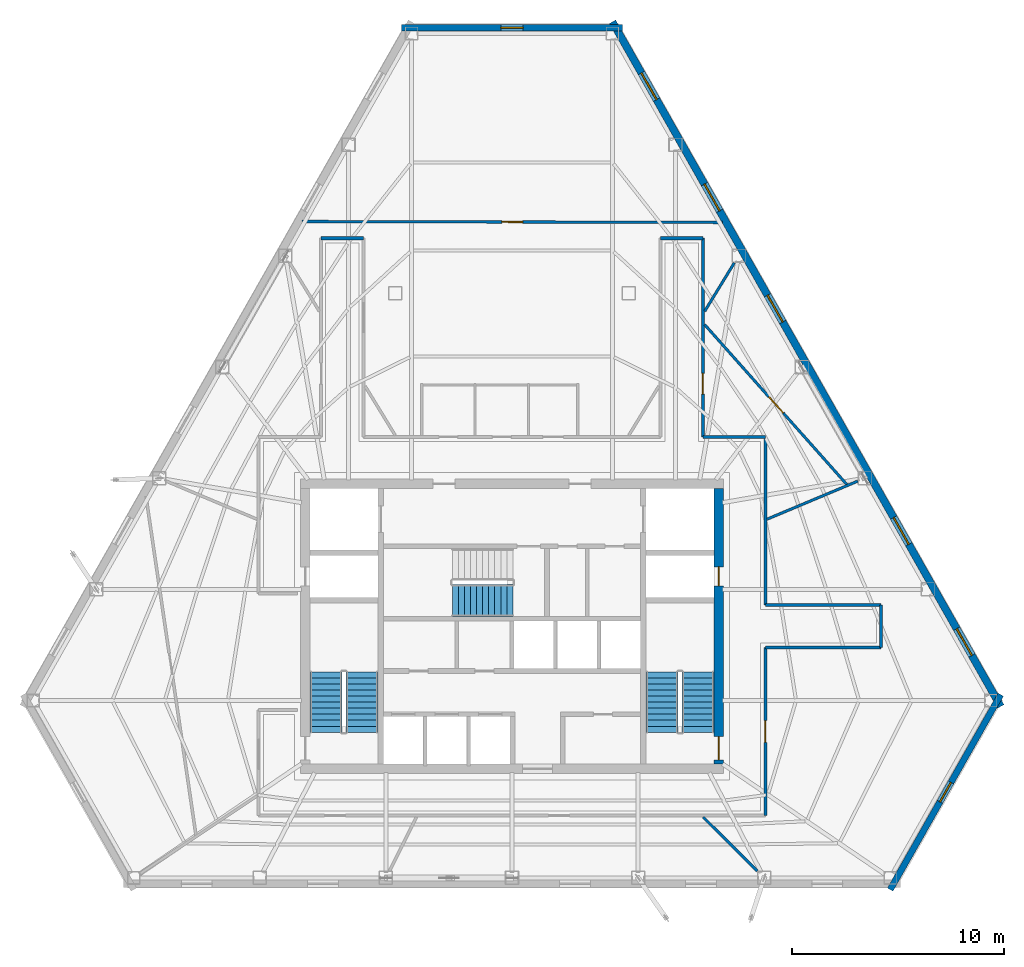
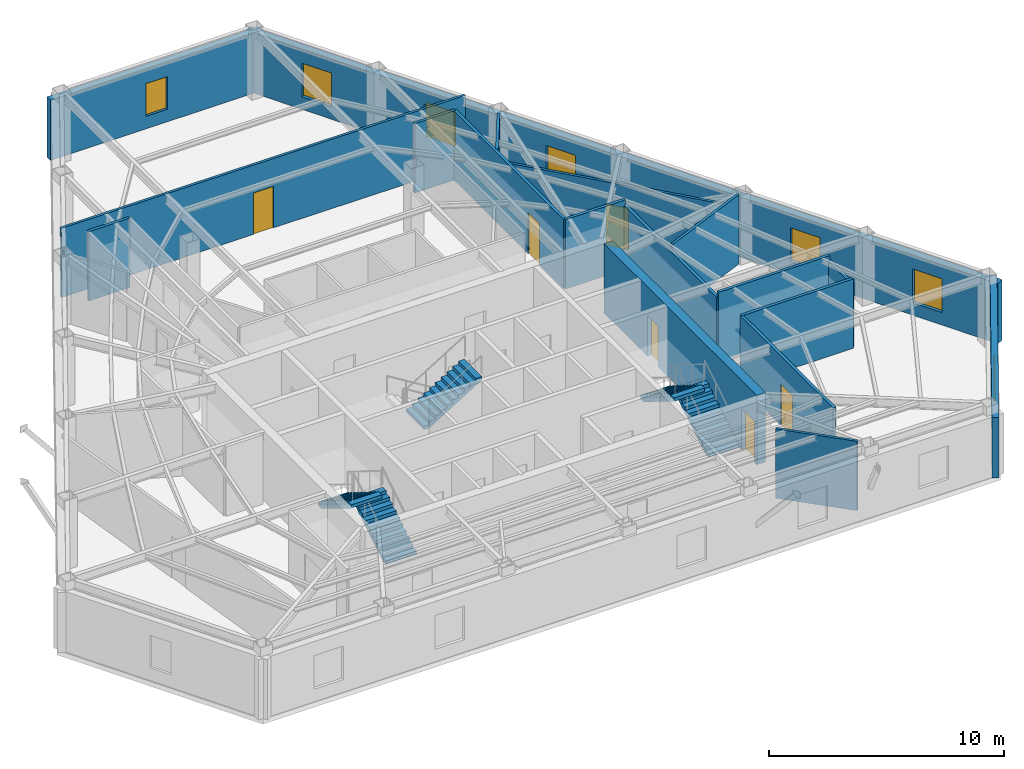
# One storey, part 9 of 11: 18 walls, 7 windows, 6 doors, 5 stair flights, 13 openings, 3 elements without a shape of their own.
"""IFC4 building model written with IfcOpenShell, lengths in metres."""

from ifc_helpers import new_model, si_unit, direction, frame, frame_2d, origin, place, context, subcontext, project, spatial, polyline, rectangle, outline, extrude, material, layer, layer_set, type_object, element, fill, aggregate, save


model = new_model("IFC4")

# Units and contexts
model_context = context("Model", 3, precision=1e-05, world=origin(), true_north=direction((0.0, 1.0)))
body_context = subcontext(model_context, "Body", "Model", "MODEL_VIEW")
ifc_project = project(units=[si_unit("LENGTHUNIT", "METRE"), si_unit("AREAUNIT", "SQUARE_METRE"), si_unit("VOLUMEUNIT", "CUBIC_METRE"), si_unit("PLANEANGLEUNIT", "RADIAN"), si_unit("MASSUNIT", "GRAM", prefix="KILO")], contexts=[model_context])

# Site, building, storey
site_placement = place(None, origin())
site = spatial("IfcSite", under=ifc_project, at=site_placement, CompositionType="ELEMENT")
building_placement = place(site_placement, origin())
building = spatial("IfcBuilding", under=site, at=building_placement, Name="Kavelnor Concourse Tower", CompositionType="ELEMENT")
storey_placement = place(building_placement, frame((0.0, 0.0, 165.0)))
storey = spatial("IfcBuildingStorey", under=building, at=storey_placement, Name="L41", CompositionType="ELEMENT", Elevation=165.0)

# Wall, openings, doors
ifc_material_1 = material(Name="Concrete C50/60", Category="concrete")
ifc_layer_1 = layer(ifc_material_1, 0.43994140625, Name="Concrete C50/60")
ifc_layer_set_1 = layer_set([ifc_layer_1], Name="Concrete C50/60")
wall_type_1 = type_object("IfcWallType", Name="WL-CORE-Z3-440", PredefinedType="SOLIDWALL", material=ifc_layer_set_1)
wall_1_placement = place(storey_placement, frame((47.739990234375, 9.60009765625, 0.0), z_axis=(0.0, 0.0, 1.0), x_axis=(0.0, 1.0, 0.0)))
wall_1 = element("IfcWall", 1, at=wall_1_placement, inside=storey, type_object=wall_type_1, Name="L41 Central Core East Shear Wall", PredefinedType="SOLIDWALL", context=body_context, shape_type="SweptSolid", body=[
    extrude(rectangle(XDim=13.0, YDim=0.43994140625, at=frame_2d((6.5, 0.0))), origin(), (0.0, 0.0, 1.0), 3.60009765625),
])
opening_1_placement = place(wall_1_placement, frame((0.199951171875, 0.0, 0.0)))
opening_1 = element("IfcOpeningElement", 2, at=opening_1_placement, cuts=wall_1, Name="Opening FD-110", PredefinedType="OPENING", context=body_context, shape_type="SweptSolid", body=[
    extrude(rectangle(XDim=1.10009765625, YDim=2.14990234375, at=frame_2d((0.550048828125, 1.074951171875))), frame((0.0, 0.22998046875, 0.0), z_axis=(0.0, -1.0, 0.0), x_axis=(1.0, 0.0, 0.0)), (0.0, 0.0, 1.0), 0.4599609375),
])
opening_2_placement = place(wall_1_placement, frame((8.39990234375, 0.0, 0.0)))
opening_2 = element("IfcOpeningElement", 3, at=opening_2_placement, cuts=wall_1, Name="Opening FD-090", PredefinedType="OPENING", context=body_context, shape_type="SweptSolid", body=[
    extrude(rectangle(XDim=0.89990234375, YDim=2.10009765625, at=frame_2d((0.449951171875, 1.050048828125))), frame((0.0, 0.22998046875, 0.0), z_axis=(0.0, -1.0, 0.0), x_axis=(1.0, 0.0, 0.0)), (0.0, 0.0, 1.0), 0.4599609375),
])
ifc_material_2 = material(Name="Steel Grade 350", Category="steel")
door_type_1 = type_object("IfcDoorType", Name="DR-RISER-FIRE-900", OperationType="NOTDEFINED", PredefinedType="DOOR", material=ifc_material_2)
door_1_placement = place(opening_2_placement, origin())
door_1 = element("IfcDoor", 4, at=door_1_placement, inside=storey, type_object=door_type_1, Name="L41 East Riser Access Door", OperationType="SINGLE_SWING_LEFT", OverallHeight=2.10009765625, OverallWidth=0.89990234375, PredefinedType="DOOR", context=body_context, shape_type="SweptSolid", body=[
    extrude(rectangle(XDim=0.89990234375, YDim=2.10009765625, at=frame_2d((0.449951171875, 1.050048828125))), frame((0.0, 0.02490234375, 0.0), z_axis=(0.0, -1.0, 0.0), x_axis=(1.0, 0.0, 0.0)), (0.0, 0.0, 1.0), 0.050048828125),
])
fill(opening_2, door_1)
door_type_2 = type_object("IfcDoorType", Name="DR-STAIR-FIRE-1100", OperationType="NOTDEFINED", PredefinedType="DOOR", material=ifc_material_2)
door_2_placement = place(opening_1_placement, origin())
door_2 = element("IfcDoor", 5, at=door_2_placement, inside=storey, type_object=door_type_2, Name="L41 Stair ST2 Fire Door", OperationType="SINGLE_SWING_RIGHT", OverallHeight=2.14990234375, OverallWidth=1.10009765625, PredefinedType="DOOR", context=body_context, shape_type="SweptSolid", body=[
    extrude(rectangle(XDim=1.10009765625, YDim=2.14990234375, at=frame_2d((0.550048828125, 1.074951171875))), frame((0.0, 0.02490234375, 0.0), z_axis=(0.0, -1.0, 0.0), x_axis=(1.0, 0.0, 0.0)), (0.0, 0.0, 1.0), 0.050048828125),
])
fill(opening_1, door_2)

# Wall, opening, window
ifc_material_3 = material(Name="Buff ironspot clay face brick masonry", Category="masonry")
ifc_layer_2 = layer(ifc_material_3, 0.300048828125, Name="Buff ironspot clay face brick masonry")
ifc_layer_set_2 = layer_set([ifc_layer_2], Name="Buff ironspot clay face brick masonry")
wall_type_2 = type_object("IfcWallType", Name="WL-EXT-BUFF-BRICK-FOLD-300", PredefinedType="STANDARD", material=ifc_layer_set_2)
wall_2_placement = place(storey_placement, frame((32.785400390625, 44.304931640625, 0.0), z_axis=(0.0, 0.0, 1.0), x_axis=(1.0, 0.0, 0.0)))
wall_2 = element("IfcWall", 6, at=wall_2_placement, inside=storey, type_object=wall_type_2, Name="L41 Exterior Brick Facade Wall E0", PredefinedType="STANDARD", context=body_context, shape_type="SweptSolid", body=[
    extrude(rectangle(XDim=10.42919921875, YDim=0.300048828125, at=frame_2d((5.214599609375, 0.0))), origin(), (0.0, 0.0, 1.0), 3.132080078125),
])
opening_3_placement = place(wall_2_placement, frame((4.689697265625, 0.0, 0.64990234375)))
opening_3 = element("IfcOpeningElement", 7, at=opening_3_placement, cuts=wall_2, Name="Opening W-06", PredefinedType="OPENING", context=body_context, shape_type="SweptSolid", body=[
    extrude(rectangle(XDim=1.050048828125, YDim=1.699951171875, at=frame_2d((0.52490234375, 0.85009765625))), frame((0.0, 0.16015625, 0.0), z_axis=(0.0, -1.0, 0.0), x_axis=(1.0, 0.0, 0.0)), (0.0, 0.0, 1.0), 0.320068359375),
])
ifc_material_4 = material(Name="Double low-E argon insulated glazing", Category="glass")
window_type_1 = type_object("IfcWindowType", Name="WIN-FOLD-1050", PartitioningType="SINGLE_PANEL", PredefinedType="WINDOW", material=ifc_material_4)
window_1_placement = place(opening_3_placement, origin())
window_1 = element("IfcWindow", 8, at=window_1_placement, inside=storey, type_object=window_type_1, Name="L41 Chamfer-Fold Facet Window C0", OverallHeight=1.699951171875, OverallWidth=1.050048828125, PartitioningType="SINGLE_PANEL", PredefinedType="WINDOW", context=body_context, shape_type="SweptSolid", body=[
    extrude(rectangle(XDim=1.050048828125, YDim=1.699951171875, at=frame_2d((0.52490234375, 0.85009765625))), frame((0.0, 0.030029296875, 0.0), z_axis=(0.0, -1.0, 0.0), x_axis=(1.0, 0.0, 0.0)), (0.0, 0.0, 1.0), 0.06005859375),
])
fill(opening_3, window_1)

wall_3_placement = place(storey_placement, frame((61.035888671875, 12.874267578125, 0.0), z_axis=(0.0, 0.0, 1.0), x_axis=(-0.493371164069, -0.869818886013, 0.0)))
wall_3 = element("IfcWall", 9, at=wall_3_placement, inside=storey, type_object=wall_type_2, Name="L41 Exterior Brick Facade Wall E4", PredefinedType="STANDARD", context=body_context, shape_type="SweptSolid", body=[
    extrude(rectangle(XDim=10.5634765625, YDim=0.300048828125, at=frame_2d((5.28173828125, 0.0))), origin(), (0.0, 0.0, 1.0), 3.132080078125),
])
opening_4_placement = place(wall_3_placement, frame((4.756591796875, 0.0, 0.64990234375)))
opening_4 = element("IfcOpeningElement", 10, at=opening_4_placement, cuts=wall_3, Name="Opening W-06", PredefinedType="OPENING", context=body_context, shape_type="SweptSolid", body=[
    extrude(rectangle(XDim=1.050048828125, YDim=1.699951171875, at=frame_2d((0.52490234375, 0.85009765625))), frame((0.0, 0.16015625, 0.0), z_axis=(0.0, -1.0, 0.0), x_axis=(1.0, 0.0, 0.0)), (0.0, 0.0, 1.0), 0.320068359375),
])
window_2_placement = place(opening_4_placement, origin())
window_2 = element("IfcWindow", 11, at=window_2_placement, inside=storey, type_object=window_type_1, Name="L41 Chamfer-Fold Facet Window C2", OverallHeight=1.699951171875, OverallWidth=1.050048828125, PartitioningType="SINGLE_PANEL", PredefinedType="WINDOW", context=body_context, shape_type="SweptSolid", body=[
    extrude(rectangle(XDim=1.050048828125, YDim=1.699951171875, at=frame_2d((0.52490234375, 0.85009765625))), frame((0.0, 0.030029296875, 0.0), z_axis=(0.0, -1.0, 0.0), x_axis=(1.0, 0.0, 0.0)), (0.0, 0.0, 1.0), 0.06005859375),
])
fill(opening_4, window_2)

# Wall, openings, windows
ifc_material_5 = material(Name="Red-ochre clay face brick masonry", Category="masonry")
ifc_layer_3 = layer(ifc_material_5, 0.35009765625, Name="Red-ochre clay face brick masonry")
ifc_layer_set_3 = layer_set([ifc_layer_3], Name="Red-ochre clay face brick masonry")
wall_type_3 = type_object("IfcWallType", Name="WL-EXT-RED-BRICK-PIER-350", PredefinedType="STANDARD", material=ifc_layer_set_3)
wall_4_placement = place(storey_placement, frame((42.7333984375, 44.585205078125, 0.0), z_axis=(0.0, 0.0, 1.0), x_axis=(0.493387150796, -0.869809817966, 0.0)))
wall_4 = element("IfcWall", 12, at=wall_4_placement, inside=storey, type_object=wall_type_3, Name="L41 Exterior Brick Facade Wall E5", PredefinedType="STANDARD", context=body_context, shape_type="SweptSolid", body=[
    extrude(rectangle(XDim=37.095703125, YDim=0.35009765625, at=frame_2d((18.5478515625, 0.0))), origin(), (0.0, 0.0, 1.0), 3.132080078125),
])
opening_5_placement = place(wall_4_placement, frame((32.886474609375, 0.0, 0.64990234375)))
opening_5 = element("IfcOpeningElement", 13, at=opening_5_placement, cuts=wall_4, Name="Opening W-03", PredefinedType="OPENING", context=body_context, shape_type="SweptSolid", body=[
    extrude(rectangle(XDim=1.449951171875, YDim=1.75, at=frame_2d((0.72509765625, 0.875))), frame((0.0, 0.18505859375, 0.0), z_axis=(0.0, -1.0, 0.0), x_axis=(1.0, 0.0, 0.0)), (0.0, 0.0, 1.0), 0.3701171875),
])
opening_6_placement = place(wall_4_placement, frame((26.862548828125, 0.0, 0.64990234375)))
opening_6 = element("IfcOpeningElement", 14, at=opening_6_placement, cuts=wall_4, Name="Opening W-03", PredefinedType="OPENING", context=body_context, shape_type="SweptSolid", body=[
    extrude(rectangle(XDim=1.449951171875, YDim=1.75, at=frame_2d((0.72509765625, 0.875))), frame((0.0, 0.18505859375, 0.0), z_axis=(0.0, -1.0, 0.0), x_axis=(1.0, 0.0, 0.0)), (0.0, 0.0, 1.0), 0.3701171875),
])
opening_7_placement = place(wall_4_placement, frame((14.814453125, 0.0, 0.64990234375)))
opening_7 = element("IfcOpeningElement", 15, at=opening_7_placement, cuts=wall_4, Name="Opening W-03", PredefinedType="OPENING", context=body_context, shape_type="SweptSolid", body=[
    extrude(rectangle(XDim=1.449951171875, YDim=1.75, at=frame_2d((0.72509765625, 0.875))), frame((0.0, 0.18505859375, 0.0), z_axis=(0.0, -1.0, 0.0), x_axis=(1.0, 0.0, 0.0)), (0.0, 0.0, 1.0), 0.3701171875),
])
opening_8_placement = place(wall_4_placement, frame((8.79052734375, 0.0, 0.64990234375)))
opening_8 = element("IfcOpeningElement", 16, at=opening_8_placement, cuts=wall_4, Name="Opening W-03", PredefinedType="OPENING", context=body_context, shape_type="SweptSolid", body=[
    extrude(rectangle(XDim=1.449951171875, YDim=1.75, at=frame_2d((0.72509765625, 0.875))), frame((0.0, 0.18505859375, 0.0), z_axis=(0.0, -1.0, 0.0), x_axis=(1.0, 0.0, 0.0)), (0.0, 0.0, 1.0), 0.3701171875),
])
opening_9_placement = place(wall_4_placement, frame((2.7666015625, 0.0, 0.64990234375)))
opening_9 = element("IfcOpeningElement", 17, at=opening_9_placement, cuts=wall_4, Name="Opening W-03", PredefinedType="OPENING", context=body_context, shape_type="SweptSolid", body=[
    extrude(rectangle(XDim=1.449951171875, YDim=1.75, at=frame_2d((0.72509765625, 0.875))), frame((0.0, 0.18505859375, 0.0), z_axis=(0.0, -1.0, 0.0), x_axis=(1.0, 0.0, 0.0)), (0.0, 0.0, 1.0), 0.3701171875),
])
window_type_2 = type_object("IfcWindowType", Name="WIN-PIER-Z3-1500", PartitioningType="SINGLE_PANEL", PredefinedType="WINDOW", material=ifc_material_4)
window_3_placement = place(opening_5_placement, origin())
window_3 = element("IfcWindow", 18, at=window_3_placement, inside=storey, type_object=window_type_2, Name="L41 Deep-Set Brick Pier Window F2-B0", OverallHeight=1.75, OverallWidth=1.449951171875, PartitioningType="SINGLE_PANEL", PredefinedType="WINDOW", context=body_context, shape_type="SweptSolid", body=[
    extrude(rectangle(XDim=1.449951171875, YDim=1.75, at=frame_2d((0.72509765625, 0.875))), frame((0.0, 0.030029296875, 0.0), z_axis=(0.0, -1.0, 0.0), x_axis=(1.0, 0.0, 0.0)), (0.0, 0.0, 1.0), 0.06005859375),
])
fill(opening_5, window_3)
window_4_placement = place(opening_6_placement, origin())
window_4 = element("IfcWindow", 19, at=window_4_placement, inside=storey, type_object=window_type_2, Name="L41 Deep-Set Brick Pier Window F2-B1", OverallHeight=1.75, OverallWidth=1.449951171875, PartitioningType="SINGLE_PANEL", PredefinedType="WINDOW", context=body_context, shape_type="SweptSolid", body=[
    extrude(rectangle(XDim=1.449951171875, YDim=1.75, at=frame_2d((0.72509765625, 0.875))), frame((0.0, 0.030029296875, 0.0), z_axis=(0.0, -1.0, 0.0), x_axis=(1.0, 0.0, 0.0)), (0.0, 0.0, 1.0), 0.06005859375),
])
fill(opening_6, window_4)
window_5_placement = place(opening_7_placement, origin())
window_5 = element("IfcWindow", 20, at=window_5_placement, inside=storey, type_object=window_type_2, Name="L41 Deep-Set Brick Pier Window F2-B3", OverallHeight=1.75, OverallWidth=1.449951171875, PartitioningType="SINGLE_PANEL", PredefinedType="WINDOW", context=body_context, shape_type="SweptSolid", body=[
    extrude(rectangle(XDim=1.449951171875, YDim=1.75, at=frame_2d((0.72509765625, 0.875))), frame((0.0, 0.030029296875, 0.0), z_axis=(0.0, -1.0, 0.0), x_axis=(1.0, 0.0, 0.0)), (0.0, 0.0, 1.0), 0.06005859375),
])
fill(opening_7, window_5)
window_6_placement = place(opening_8_placement, origin())
window_6 = element("IfcWindow", 21, at=window_6_placement, inside=storey, type_object=window_type_2, Name="L41 Deep-Set Brick Pier Window F2-B4", OverallHeight=1.75, OverallWidth=1.449951171875, PartitioningType="SINGLE_PANEL", PredefinedType="WINDOW", context=body_context, shape_type="SweptSolid", body=[
    extrude(rectangle(XDim=1.449951171875, YDim=1.75, at=frame_2d((0.72509765625, 0.875))), frame((0.0, 0.030029296875, 0.0), z_axis=(0.0, -1.0, 0.0), x_axis=(1.0, 0.0, 0.0)), (0.0, 0.0, 1.0), 0.06005859375),
])
fill(opening_8, window_6)
window_7_placement = place(opening_9_placement, origin())
window_7 = element("IfcWindow", 22, at=window_7_placement, inside=storey, type_object=window_type_2, Name="L41 Deep-Set Brick Pier Window F2-B5", OverallHeight=1.75, OverallWidth=1.449951171875, PartitioningType="SINGLE_PANEL", PredefinedType="WINDOW", context=body_context, shape_type="SweptSolid", body=[
    extrude(rectangle(XDim=1.449951171875, YDim=1.75, at=frame_2d((0.72509765625, 0.875))), frame((0.0, 0.030029296875, 0.0), z_axis=(0.0, -1.0, 0.0), x_axis=(1.0, 0.0, 0.0)), (0.0, 0.0, 1.0), 0.06005859375),
])
fill(opening_9, window_7)

# Walls
ifc_material_6 = material(Name="Gypsum plasterboard on light-gauge steel studs", Category="steel")
ifc_layer_4 = layer(ifc_material_6, 0.14501953125, Name="Gypsum plasterboard on light-gauge steel studs")
ifc_layer_set_4 = layer_set([ifc_layer_4], Name="Gypsum plasterboard on light-gauge steel studs")
wall_type_4 = type_object("IfcWallType", Name="WL-INT-CORR-145", PredefinedType="PARTITIONING", material=ifc_layer_set_4)
for number, where, z_axis, x_axis, name in (
    (23, (29.0, 34.38720703125, 0.0), (0.0, 0.0, 1.0), (1.0, 0.0, 0.0), "L41 Corridor Wall WL-L41-CR-05"),
    (24, (45.0, 34.38720703125, 0.0), (0.0, 0.0, 1.0), (1.0, 0.0, 0.0), "L41 Corridor Wall WL-L41-CR-09"),
):
    element("IfcWall", number, at=place(storey_placement, frame(where, z_axis=z_axis, x_axis=x_axis)), inside=storey, type_object=wall_type_4, Name=name, PredefinedType="PARTITIONING", context=body_context, shape_type="SweptSolid", body=[
        extrude(rectangle(XDim=2.0, YDim=0.14501953125, at=frame_2d((1.0, 0.0))), origin(), (0.0, 0.0, 1.0), 3.60009765625),
    ])

# Wall, opening, door
wall_5_placement = place(storey_placement, frame((47.0, 34.38720703125, 0.0), z_axis=(0.0, 0.0, 1.0), x_axis=(0.0, -1.0, 0.0)))
wall_5 = element("IfcWall", 25, at=wall_5_placement, inside=storey, type_object=wall_type_4, Name="L41 Corridor Wall WL-L41-CR-10", PredefinedType="PARTITIONING", context=body_context, shape_type="SweptSolid", body=[
    extrude(rectangle(XDim=9.3671875, YDim=0.14501953125, at=frame_2d((4.68359375, 0.0))), origin(), (0.0, 0.0, 1.0), 3.60009765625),
])
opening_10_placement = place(wall_5_placement, frame((6.367431640625, 0.0, 0.0)))
opening_10 = element("IfcOpeningElement", 26, at=opening_10_placement, cuts=wall_5, Name="Opening OD-098", PredefinedType="OPENING", context=body_context, shape_type="SweptSolid", body=[
    extrude(rectangle(XDim=0.97998046875, YDim=2.14990234375, at=frame_2d((0.489990234375, 1.074951171875))), frame((0.0, 0.08251953125, 0.0), z_axis=(0.0, -1.0, 0.0), x_axis=(1.0, 0.0, 0.0)), (0.0, 0.0, 1.0), 0.1650390625),
])
ifc_material_7 = material(Name="Solid-core hardwood timber", Category="wood")
door_type_3 = type_object("IfcDoorType", Name="DR-OFFICE-980", OperationType="NOTDEFINED", PredefinedType="DOOR", material=ifc_material_7)
door_3_placement = place(opening_10_placement, origin())
door_3 = element("IfcDoor", 27, at=door_3_placement, inside=storey, type_object=door_type_3, Name="L41 Architectural Design Studio 01 Door", OperationType="SINGLE_SWING_LEFT", OverallHeight=2.14990234375, OverallWidth=0.97998046875, PredefinedType="DOOR", context=body_context, shape_type="SweptSolid", body=[
    extrude(rectangle(XDim=0.97998046875, YDim=2.14990234375, at=frame_2d((0.489990234375, 1.074951171875))), frame((0.0, 0.02490234375, 0.0), z_axis=(0.0, -1.0, 0.0), x_axis=(1.0, 0.0, 0.0)), (0.0, 0.0, 1.0), 0.050048828125),
])
fill(opening_10, door_3)

# Walls
wall_6_placement = place(storey_placement, frame((47.0, 25.02001953125, 0.0), z_axis=(0.0, 0.0, 1.0), x_axis=(1.0, 0.0, 0.0)))
element("IfcWall", 28, at=wall_6_placement, inside=storey, type_object=wall_type_4, Name="L41 Corridor Wall WL-L41-CR-11", PredefinedType="PARTITIONING", context=body_context, shape_type="SweptSolid", body=[
    extrude(rectangle(XDim=2.93994140625, YDim=0.14501953125, at=frame_2d((1.469970703125, 0.0))), origin(), (0.0, 0.0, 1.0), 3.60009765625),
])
wall_7_placement = place(storey_placement, frame((49.93994140625, 25.02001953125, 0.0), z_axis=(0.0, 0.0, 1.0), x_axis=(0.0, -1.0, 0.0)))
element("IfcWall", 29, at=wall_7_placement, inside=storey, type_object=wall_type_4, Name="L41 Corridor Wall WL-L41-CR-12", PredefinedType="PARTITIONING", context=body_context, shape_type="SweptSolid", body=[
    extrude(rectangle(XDim=7.919921875, YDim=0.14501953125, at=frame_2d((3.9599609375, 0.0))), origin(), (0.0, 0.0, 1.0), 3.339111328125),
])
wall_8_placement = place(storey_placement, frame((49.93994140625, 17.10009765625, 0.0), z_axis=(0.0, 0.0, 1.0), x_axis=(1.0, 0.0, 0.0)))
element("IfcWall", 30, at=wall_8_placement, inside=storey, type_object=wall_type_4, Name="L41 Corridor Wall WL-L41-CR-13", PredefinedType="PARTITIONING", context=body_context, shape_type="SweptSolid", body=[
    extrude(rectangle(XDim=5.4599609375, YDim=0.14501953125, at=frame_2d((2.72998046875, 0.0))), origin(), (0.0, 0.0, 1.0), 3.60009765625),
])
wall_9_placement = place(storey_placement, frame((55.39990234375, 17.10009765625, 0.0), z_axis=(0.0, 0.0, 1.0), x_axis=(0.0, -1.0, 0.0)))
element("IfcWall", 31, at=wall_9_placement, inside=storey, type_object=wall_type_4, Name="L41 Corridor Wall WL-L41-CR-14", PredefinedType="PARTITIONING", context=body_context, shape_type="SweptSolid", body=[
    extrude(rectangle(XDim=2.0, YDim=0.14501953125, at=frame_2d((1.0, 0.0))), origin(), (0.0, 0.0, 1.0), 3.339111328125),
])
wall_10_placement = place(storey_placement, frame((55.39990234375, 15.10009765625, 0.0), z_axis=(0.0, 0.0, 1.0), x_axis=(-1.0, 0.0, 0.0)))
element("IfcWall", 32, at=wall_10_placement, inside=storey, type_object=wall_type_4, Name="L41 Corridor Wall WL-L41-CR-15", PredefinedType="PARTITIONING", context=body_context, shape_type="SweptSolid", body=[
    extrude(rectangle(XDim=5.4599609375, YDim=0.14501953125, at=frame_2d((2.72998046875, 0.0))), origin(), (0.0, 0.0, 1.0), 3.60009765625),
])

# Wall, opening, door
wall_11_placement = place(storey_placement, frame((49.93994140625, 15.10009765625, 0.0), z_axis=(0.0, 0.0, 1.0), x_axis=(0.0, -1.0, 0.0)))
wall_11 = element("IfcWall", 33, at=wall_11_placement, inside=storey, type_object=wall_type_4, Name="L41 Corridor Wall WL-L41-CR-16", PredefinedType="PARTITIONING", context=body_context, shape_type="SweptSolid", body=[
    extrude(rectangle(XDim=7.920166015625, YDim=0.14501953125, at=frame_2d((3.9599609375, 0.0))), origin(), (0.0, 0.0, 1.0), 3.60009765625),
])
opening_11_placement = place(wall_11_placement, frame((3.449951171875, 0.0, 0.0)))
opening_11 = element("IfcOpeningElement", 34, at=opening_11_placement, cuts=wall_11, Name="Opening MD-102", PredefinedType="OPENING", context=body_context, shape_type="SweptSolid", body=[
    extrude(rectangle(XDim=1.02001953125, YDim=2.14990234375, at=frame_2d((0.510009765625, 1.074951171875))), frame((0.0, 0.08251953125, 0.0), z_axis=(0.0, -1.0, 0.0), x_axis=(1.0, 0.0, 0.0)), (0.0, 0.0, 1.0), 0.1650390625),
])
ifc_material_8 = material(Name="Acoustic glazed timber frame", Category="wood")
door_type_4 = type_object("IfcDoorType", Name="DR-MEETING-1020", OperationType="NOTDEFINED", PredefinedType="DOOR", material=ifc_material_8)
door_4_placement = place(opening_11_placement, origin())
door_4 = element("IfcDoor", 35, at=door_4_placement, inside=storey, type_object=door_type_4, Name="L41 Client Boardroom 10 Door", OperationType="SINGLE_SWING_RIGHT", OverallHeight=2.14990234375, OverallWidth=1.02001953125, PredefinedType="DOOR", context=body_context, shape_type="SweptSolid", body=[
    extrude(rectangle(XDim=1.02001953125, YDim=2.14990234375, at=frame_2d((0.510009765625, 1.074951171875))), frame((0.0, 0.02490234375, 0.0), z_axis=(0.0, -1.0, 0.0), x_axis=(1.0, 0.0, 0.0)), (0.0, 0.0, 1.0), 0.050048828125),
])
fill(opening_11, door_4)

# Walls
ifc_layer_5 = layer(ifc_material_6, 0.125, Name="Gypsum plasterboard on light-gauge steel studs")
ifc_layer_set_5 = layer_set([ifc_layer_5], Name="Gypsum plasterboard on light-gauge steel studs")
wall_type_5 = type_object("IfcWallType", Name="WL-INT-SUITE-125", PredefinedType="PARTITIONING", material=ifc_layer_set_5)
wall_12_placement = place(storey_placement, frame((50.0205078125, 21.144287109375, 0.0), z_axis=(0.0, 0.0, 1.0), x_axis=(0.922095611861, 0.38696212035, 0.0)))
element("IfcWall", 36, at=wall_12_placement, inside=storey, type_object=wall_type_5, Name="L41 Radial Suite Partition 01", PredefinedType="PARTITIONING", context=body_context, shape_type="SweptSolid", body=[
    extrude(rectangle(XDim=4.63671875, YDim=0.125, at=frame_2d((2.318359375, 0.0))), origin(), (0.0, 0.0, 1.0), 3.60009765625),
])
wall_13_placement = place(storey_placement, frame((47.08056640625, 30.942138671875, 0.0), z_axis=(0.0, 0.0, 1.0), x_axis=(0.52187383072, 0.85302268716, 0.0)))
element("IfcWall", 37, at=wall_13_placement, inside=storey, type_object=wall_type_5, Name="L41 Radial Suite Partition 02", PredefinedType="PARTITIONING", context=body_context, shape_type="SweptSolid", body=[
    extrude(rectangle(XDim=2.67919921875, YDim=0.125, at=frame_2d((1.339599609375, 0.0))), origin(), (0.0, 0.0, 1.0), 3.60009765625),
])
wall_14_placement = place(storey_placement, frame((47.01611328125, 7.099609375, 0.0), z_axis=(0.0, 0.0, 1.0), x_axis=(0.707718259203, -0.70649477393, 0.0)))
element("IfcWall", 38, at=wall_14_placement, inside=storey, type_object=wall_type_5, Name="L41 Radial Suite Partition 07", PredefinedType="PARTITIONING", context=body_context, shape_type="SweptSolid", body=[
    extrude(rectangle(XDim=3.591796875, YDim=0.125, at=frame_2d((1.7958984375, 0.0))), origin(), (0.0, 0.0, 1.0), 3.60009765625),
])

# Wall, opening, door
wall_15_placement = place(storey_placement, frame((53.80712890625, 22.749755859375, 0.0), z_axis=(0.0, 0.0, 1.0), x_axis=(-0.664519515039, 0.747270910803, 0.0)))
wall_15 = element("IfcWall", 39, at=wall_15_placement, inside=storey, type_object=wall_type_5, Name="L41 Suite Subdivision Partition 01", PredefinedType="PARTITIONING", context=body_context, shape_type="SweptSolid", body=[
    extrude(rectangle(XDim=10.12255859375, YDim=0.125, at=frame_2d((5.061279296875, 0.0))), origin(), (0.0, 0.0, 1.0), 3.339111328125),
])
opening_12_placement = place(wall_15_placement, frame((4.546630859375, 0.0, 0.0)))
opening_12 = element("IfcOpeningElement", 40, at=opening_12_placement, cuts=wall_15, Name="Opening MD-102", PredefinedType="OPENING", context=body_context, shape_type="SweptSolid", body=[
    extrude(rectangle(XDim=1.02001953125, YDim=2.14990234375, at=frame_2d((0.510009765625, 1.074951171875))), frame((0.0, 0.072509765625, 0.0), z_axis=(0.0, -1.0, 0.0), x_axis=(1.0, 0.0, 0.0)), (0.0, 0.0, 1.0), 0.14501953125),
])
door_5_placement = place(opening_12_placement, origin())
door_5 = element("IfcDoor", 41, at=door_5_placement, inside=storey, type_object=door_type_4, Name="L41 Client Boardroom 02 Door", OperationType="SINGLE_SWING_RIGHT", OverallHeight=2.14990234375, OverallWidth=1.02001953125, PredefinedType="DOOR", context=body_context, shape_type="SweptSolid", body=[
    extrude(rectangle(XDim=1.02001953125, YDim=2.14990234375, at=frame_2d((0.510009765625, 1.074951171875))), frame((0.0, 0.02490234375, 0.0), z_axis=(0.0, -1.0, 0.0), x_axis=(1.0, 0.0, 0.0)), (0.0, 0.0, 1.0), 0.050048828125),
])
fill(opening_12, door_5)

wall_16_placement = place(storey_placement, frame((47.924072265625, 35.13037109375, 0.0), z_axis=(0.0, 0.0, 1.0), x_axis=(-0.999997570066, 0.002204509588, 0.0)))
wall_16 = element("IfcWall", 42, at=wall_16_placement, inside=storey, type_object=wall_type_5, Name="L41 Suite Subdivision Partition 02", PredefinedType="PARTITIONING", context=body_context, shape_type="SweptSolid", body=[
    extrude(rectangle(XDim=19.823486328125, YDim=0.125, at=frame_2d((9.91162109375, 0.0))), origin(), (0.0, 0.0, 1.0), 3.60009765625),
])
opening_13_placement = place(wall_16_placement, frame((9.421630859375, 0.0, 0.0)))
opening_13 = element("IfcOpeningElement", 43, at=opening_13_placement, cuts=wall_16, Name="Opening OD-098", PredefinedType="OPENING", context=body_context, shape_type="SweptSolid", body=[
    extrude(rectangle(XDim=0.97998046875, YDim=2.14990234375, at=frame_2d((0.489990234375, 1.074951171875))), frame((0.0, 0.072509765625, 0.0), z_axis=(0.0, -1.0, 0.0), x_axis=(1.0, 0.0, 0.0)), (0.0, 0.0, 1.0), 0.14501953125),
])
door_6_placement = place(opening_13_placement, origin())
door_6 = element("IfcDoor", 44, at=door_6_placement, inside=storey, type_object=door_type_3, Name="L41 Architectural Design Studio 04 Door", OperationType="SINGLE_SWING_RIGHT", OverallHeight=2.14990234375, OverallWidth=0.97998046875, PredefinedType="DOOR", context=body_context, shape_type="SweptSolid", body=[
    extrude(rectangle(XDim=0.97998046875, YDim=2.14990234375, at=frame_2d((0.489990234375, 1.074951171875))), frame((0.0, 0.02490234375, 0.0), z_axis=(0.0, -1.0, 0.0), x_axis=(1.0, 0.0, 0.0)), (0.0, 0.0, 1.0), 0.050048828125),
])
fill(opening_13, door_6)

# Stair, stair flights
ifc_material_9 = material(Name="Concrete C40/50", Category="concrete")
stair_type = type_object("IfcStairType", Name="STR-CORE-1500", PredefinedType="HALF_TURN_STAIR", material=ifc_material_9)
stair_1_placement = place(storey_placement, origin())
stair_1 = element("IfcStair", 45, at=stair_1_placement, inside=storey, type_object=stair_type, Name="L41 ST1", PredefinedType="HALF_TURN_STAIR")
stair_flight_type = type_object("IfcStairFlightType", Name="STR-FLIGHT-1500", PredefinedType="STRAIGHT", material=ifc_material_9)
stair_flight_1_placement = place(storey_placement, frame((30.929931640625, 11.10009765625, 0.0), z_axis=(0.0, 0.0, 1.0), x_axis=(0.0, 1.0, 0.0)))
stair_flight_1 = element("IfcStairFlight", 46, at=stair_flight_1_placement, type_object=stair_flight_type, Name="ST1 flight 1", NumberOfRisers=11, NumberOfTreads=10, PredefinedType="STRAIGHT", RiserHeight=0.175, TreadLength=0.285, context=body_context, shape_type="SweptSolid", body=[
    extrude(outline(polyline([(0.0, 0.0), (0.0, 0.175048828125), (0.284912109375, 0.175048828125), (0.284912109375, 0.35009765625), (0.570068359375, 0.35009765625), (0.570068359375, 0.52490234375), (0.85498046875, 0.52490234375), (0.85498046875, 0.699951171875), (1.139892578125, 0.699951171875), (1.139892578125, 0.875), (1.425048828125, 0.875), (1.425048828125, 1.050048828125), (1.7099609375, 1.050048828125), (1.7099609375, 1.22509765625), (1.9951171875, 1.22509765625), (1.9951171875, 1.39990234375), (2.280029296875, 1.39990234375), (2.280029296875, 1.574951171875), (2.56494140625, 1.574951171875), (2.56494140625, 1.75), (2.85009765625, 1.75), (2.85009765625, 1.925048828125), (2.85009765625, 1.573974609375), (0.286376953125, 0.0), (0.0, 0.0)])), frame((0.0, 0.75, 0.0), z_axis=(0.0, -1.0, 0.0), x_axis=(1.0, 0.0, 0.0)), (0.0, 0.0, 1.0), 1.5),
])
stair_flight_2_placement = place(storey_placement, frame((29.22998046875, 13.949951171875, 1.925048828125), z_axis=(0.0, 0.0, 1.0), x_axis=(0.0, -1.0, 0.0)))
stair_flight_2 = element("IfcStairFlight", 47, at=stair_flight_2_placement, type_object=stair_flight_type, Name="ST1 flight 2", NumberOfRisers=11, NumberOfTreads=10, PredefinedType="STRAIGHT", RiserHeight=0.175, TreadLength=0.285, context=body_context, shape_type="SweptSolid", body=[
    extrude(outline(polyline([(0.0, 0.0), (0.0, 0.175048828125), (0.284912109375, 0.175048828125), (0.284912109375, 0.35009765625), (0.570068359375, 0.35009765625), (0.570068359375, 0.52490234375), (0.85498046875, 0.52490234375), (0.85498046875, 0.699951171875), (1.139892578125, 0.699951171875), (1.139892578125, 0.875), (1.425048828125, 0.875), (1.425048828125, 1.050048828125), (1.7099609375, 1.050048828125), (1.7099609375, 1.22509765625), (1.9951171875, 1.22509765625), (1.9951171875, 1.39990234375), (2.280029296875, 1.39990234375), (2.280029296875, 1.574951171875), (2.56494140625, 1.574951171875), (2.56494140625, 1.75), (2.85009765625, 1.75), (2.85009765625, 1.925048828125), (2.85009765625, 1.573974609375), (0.286376953125, 0.0), (0.0, 0.0)])), frame((0.0, 0.75, 0.0), z_axis=(0.0, -1.0, 0.0), x_axis=(1.0, 0.0, 0.0)), (0.0, 0.0, 1.0), 1.5),
])
aggregate(stair_1, [stair_flight_1, stair_flight_2])

stair_2_placement = place(storey_placement, origin())
stair_2 = element("IfcStair", 48, at=stair_2_placement, inside=storey, type_object=stair_type, Name="L41 ST2", PredefinedType="HALF_TURN_STAIR")
stair_flight_3_placement = place(storey_placement, frame((46.77001953125, 11.10009765625, 0.0), z_axis=(0.0, 0.0, 1.0), x_axis=(0.0, 1.0, 0.0)))
stair_flight_3 = element("IfcStairFlight", 49, at=stair_flight_3_placement, type_object=stair_flight_type, Name="ST2 flight 1", NumberOfRisers=11, NumberOfTreads=10, PredefinedType="STRAIGHT", RiserHeight=0.175, TreadLength=0.285, context=body_context, shape_type="SweptSolid", body=[
    extrude(outline(polyline([(0.0, 0.0), (0.0, 0.175048828125), (0.284912109375, 0.175048828125), (0.284912109375, 0.35009765625), (0.570068359375, 0.35009765625), (0.570068359375, 0.52490234375), (0.85498046875, 0.52490234375), (0.85498046875, 0.699951171875), (1.139892578125, 0.699951171875), (1.139892578125, 0.875), (1.425048828125, 0.875), (1.425048828125, 1.050048828125), (1.7099609375, 1.050048828125), (1.7099609375, 1.22509765625), (1.9951171875, 1.22509765625), (1.9951171875, 1.39990234375), (2.280029296875, 1.39990234375), (2.280029296875, 1.574951171875), (2.56494140625, 1.574951171875), (2.56494140625, 1.75), (2.85009765625, 1.75), (2.85009765625, 1.925048828125), (2.85009765625, 1.573974609375), (0.286376953125, 0.0), (0.0, 0.0)])), frame((0.0, 0.75, 0.0), z_axis=(0.0, -1.0, 0.0), x_axis=(1.0, 0.0, 0.0)), (0.0, 0.0, 1.0), 1.5),
])
stair_flight_4_placement = place(storey_placement, frame((45.070068359375, 13.949951171875, 1.925048828125), z_axis=(0.0, 0.0, 1.0), x_axis=(0.0, -1.0, 0.0)))
stair_flight_4 = element("IfcStairFlight", 50, at=stair_flight_4_placement, type_object=stair_flight_type, Name="ST2 flight 2", NumberOfRisers=11, NumberOfTreads=10, PredefinedType="STRAIGHT", RiserHeight=0.175, TreadLength=0.285, context=body_context, shape_type="SweptSolid", body=[
    extrude(outline(polyline([(0.0, 0.0), (0.0, 0.175048828125), (0.284912109375, 0.175048828125), (0.284912109375, 0.35009765625), (0.570068359375, 0.35009765625), (0.570068359375, 0.52490234375), (0.85498046875, 0.52490234375), (0.85498046875, 0.699951171875), (1.139892578125, 0.699951171875), (1.139892578125, 0.875), (1.425048828125, 0.875), (1.425048828125, 1.050048828125), (1.7099609375, 1.050048828125), (1.7099609375, 1.22509765625), (1.9951171875, 1.22509765625), (1.9951171875, 1.39990234375), (2.280029296875, 1.39990234375), (2.280029296875, 1.574951171875), (2.56494140625, 1.574951171875), (2.56494140625, 1.75), (2.85009765625, 1.75), (2.85009765625, 1.925048828125), (2.85009765625, 1.573974609375), (0.286376953125, 0.0), (0.0, 0.0)])), frame((0.0, 0.75, 0.0), z_axis=(0.0, -1.0, 0.0), x_axis=(1.0, 0.0, 0.0)), (0.0, 0.0, 1.0), 1.5),
])
aggregate(stair_2, [stair_flight_3, stair_flight_4])

# Stair, stair flight
stair_3_placement = place(storey_placement, origin())
stair_3 = element("IfcStair", 51, at=stair_3_placement, inside=storey, type_object=stair_type, Name="L41 ST3", PredefinedType="HALF_TURN_STAIR")
stair_flight_5_placement = place(storey_placement, frame((35.18994140625, 17.31005859375, 1.925048828125), z_axis=(0.0, 0.0, 1.0), x_axis=(1.0, 0.0, 0.0)))
stair_flight_5 = element("IfcStairFlight", 52, at=stair_flight_5_placement, type_object=stair_flight_type, Name="ST3 flight 2", NumberOfRisers=11, NumberOfTreads=10, PredefinedType="STRAIGHT", RiserHeight=0.175, TreadLength=0.285, context=body_context, shape_type="SweptSolid", body=[
    extrude(outline(polyline([(0.0, 0.0), (0.0, 0.175048828125), (0.284912109375, 0.175048828125), (0.284912109375, 0.35009765625), (0.570068359375, 0.35009765625), (0.570068359375, 0.52490234375), (0.85498046875, 0.52490234375), (0.85498046875, 0.699951171875), (1.139892578125, 0.699951171875), (1.139892578125, 0.875), (1.425048828125, 0.875), (1.425048828125, 1.050048828125), (1.7099609375, 1.050048828125), (1.7099609375, 1.22509765625), (1.9951171875, 1.22509765625), (1.9951171875, 1.39990234375), (2.280029296875, 1.39990234375), (2.280029296875, 1.574951171875), (2.56494140625, 1.574951171875), (2.56494140625, 1.75), (2.85009765625, 1.75), (2.85009765625, 1.925048828125), (2.85009765625, 1.573974609375), (0.286376953125, 0.0), (0.0, 0.0)])), frame((0.0, 0.75, 0.0), z_axis=(0.0, -1.0, 0.0), x_axis=(1.0, 0.0, 0.0)), (0.0, 0.0, 1.0), 1.5),
])
aggregate(stair_3, [stair_flight_5])

save(model, "model.ifc")
